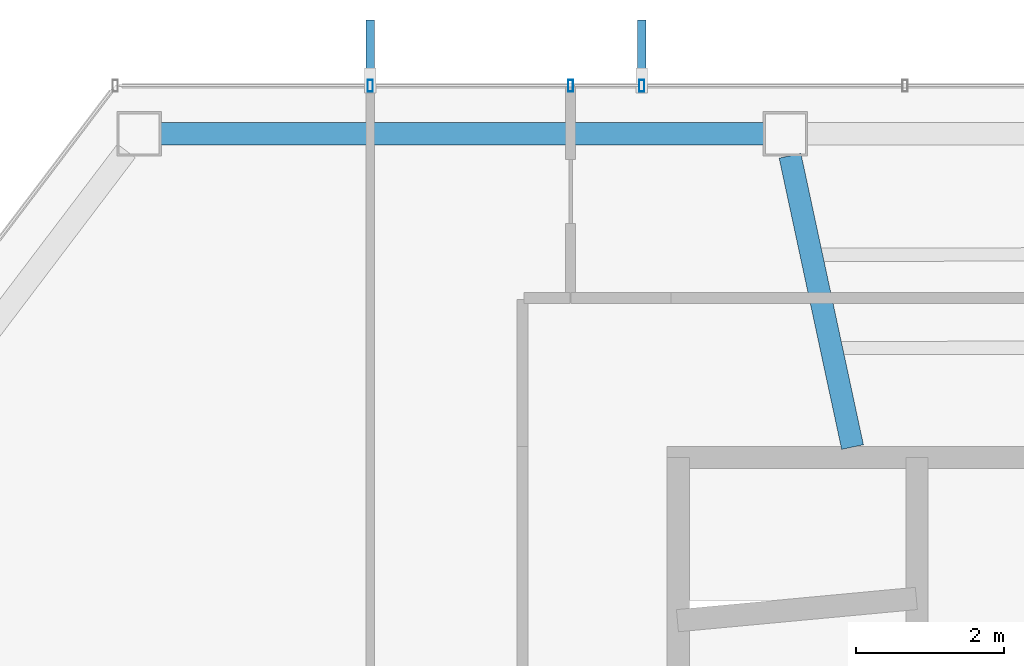
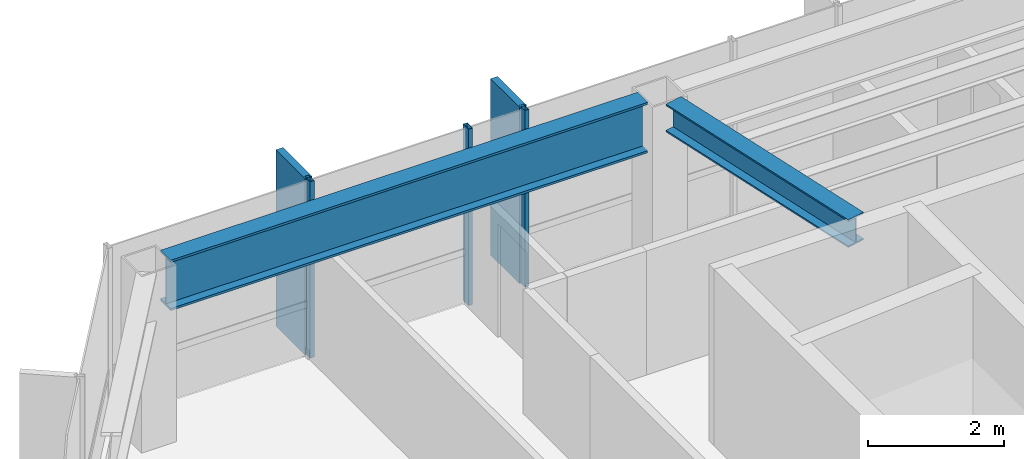
# One storey, part 10 of 25: 5 members, 2 beams, 1 element without a shape of its own.
"""IFC4 building model written with IfcOpenShell, lengths in metres."""

from ifc_helpers import new_model, si_unit, direction, frame, origin, origin_2d, place, context, subcontext, project, spatial, rectangle, hollow_rectangle, i_section, extrude, material, layer, layer_set, material_profile, profile_set, type_object, element, aggregate, save


model = new_model("IFC4")

# Units and contexts
model_context = context("Model", 3, precision=1e-05, world=origin(), true_north=direction((0.0, 1.0)))
body_context = subcontext(model_context, "Body", "Model", "MODEL_VIEW")
ifc_project = project(units=[si_unit("LENGTHUNIT", "METRE"), si_unit("AREAUNIT", "SQUARE_METRE"), si_unit("VOLUMEUNIT", "CUBIC_METRE"), si_unit("PLANEANGLEUNIT", "RADIAN"), si_unit("MASSUNIT", "GRAM", prefix="KILO")], contexts=[model_context])

# Site, building, storey
site_placement = place(None, origin())
site = spatial("IfcSite", under=ifc_project, at=site_placement, CompositionType="ELEMENT")
building_placement = place(site_placement, origin())
building = spatial("IfcBuilding", under=site, at=building_placement, Name="Zarrinselat Tower", CompositionType="ELEMENT")
storey_placement = place(building_placement, frame((0.0, 0.0, 212.159912109375)))
storey = spatial("IfcBuildingStorey", under=building, at=storey_placement, Name="L52", CompositionType="ELEMENT", Elevation=212.159912109375)

# Beams
ifc_material_1 = material(Name="Steel S355J2", Category="steel")
ifc_material_profile_1 = material_profile(ifc_material_1, i_section(OverallWidth=0.300048828125, OverallDepth=0.5, WebThickness=0.014404296875, FlangeThickness=0.028076171875, at=origin_2d()), Name="HEB 500")
ifc_profile_set_1 = profile_set([ifc_material_profile_1], Name="Steel S355J2")
beam_type_1 = type_object("IfcBeamType", Name="BM-HEB500", PredefinedType="BEAM", material=ifc_profile_set_1)
beam_1_placement = place(storey_placement, frame((30.1572265625, 47.4658203125, 2.93017578125), z_axis=(0.209894489711, -0.977724042452, 0.0), x_axis=(0.977724042452, 0.209894489711, 0.0)))
element("IfcBeam", 1, at=beam_1_placement, inside=storey, type_object=beam_type_1, Name="L52 Radial Primary Girder RG04", PredefinedType="BEAM", context=body_context, shape_type="SweptSolid", body=[
    extrude(i_section(OverallWidth=0.300048828125, OverallDepth=0.5, WebThickness=0.014404296875, FlangeThickness=0.028076171875, at=origin_2d()), origin(), (0.0, 0.0, 1.0), 4.01513671875),
])
ifc_material_2 = material(Name="Steel S460M", Category="steel")
ifc_material_profile_2 = material_profile(ifc_material_2, i_section(OverallWidth=0.302001953125, OverallDepth=0.909912109375, WebThickness=0.02099609375, FlangeThickness=0.0400390625, at=origin_2d()), Name="HEM 900")
ifc_profile_set_2 = profile_set([ifc_material_profile_2], Name="Steel S460M")
beam_type_2 = type_object("IfcBeamType", Name="BM-HEM900", PredefinedType="BEAM", material=ifc_profile_set_2)
beam_2_placement = place(storey_placement, frame((21.673583984375, 47.760986328125, 2.72509765625), z_axis=(1.0, 0.0, 0.0), x_axis=(0.0, 1.0, 0.0)))
element("IfcBeam", 2, at=beam_2_placement, inside=storey, type_object=beam_type_2, Name="L52 Perimeter Spandrel Girder SP04", PredefinedType="BEAM", context=body_context, shape_type="SweptSolid", body=[
    extrude(i_section(OverallWidth=0.302001953125, OverallDepth=0.909912109375, WebThickness=0.02099609375, FlangeThickness=0.0400390625, at=origin_2d()), origin(), (0.0, 0.0, 1.0), 8.13232421875),
])

# Curtain wall, members
ifc_material_3 = material(Name="Extruded Aluminium Alloy EN AW-6063 T6", Category="aluminium")
ifc_layer = layer(ifc_material_3, 0.169921875)
ifc_layer_set = layer_set([ifc_layer], Name="Extruded Aluminium Alloy EN AW-6063 T6")
curtain_wall_type = type_object("IfcCurtainWallType", Name="CWS-RES", PredefinedType="NOTDEFINED", material=ifc_layer_set)
curtain_wall_placement = place(storey_placement, origin())
curtain_wall = element("IfcCurtainWall", 3, at=curtain_wall_placement, inside=storey, type_object=curtain_wall_type, Name="L52 Unitised Curtain Wall CW-L52-E01", PredefinedType="NOTDEFINED")
ifc_material_4 = material(Name="Extruded Aluminium Alloy EN AW-6063 T6", Category="aluminium")
ifc_material_profile_3 = material_profile(ifc_material_4, hollow_rectangle(XDim=0.070068359375, YDim=0.159912109375, WallThickness=0.00390625, at=origin_2d()), Name="RHS 160x70x4")
ifc_profile_set_3 = profile_set([ifc_material_profile_3], Name="Extruded Aluminium Alloy EN AW-6063 T6")
member_type_1 = type_object("IfcMemberType", Name="MEM-CW-MUL2", PredefinedType="MULLION", material=ifc_profile_set_3)
member_1_placement = place(storey_placement, frame((28.158447265625, 48.4111328125, 0.0), z_axis=(0.0, 0.0, 1.0), x_axis=(-1.0, 0.0, 0.0)))
member_1 = element("IfcMember", 4, at=member_1_placement, type_object=member_type_1, Name="CW-L52-E01 Mullion 11", PredefinedType="MULLION", context=body_context, shape_type="SweptSolid", body=[
    extrude(hollow_rectangle(XDim=0.070068359375, YDim=0.159912109375, WallThickness=0.00390625, at=origin_2d()), origin(), (0.0, 0.0, 1.0), 3.18017578125),
])
member_2_placement = place(storey_placement, frame((27.199951171875, 48.4111328125, 0.0), z_axis=(0.0, 0.0, 1.0), x_axis=(-1.0, 0.0, 0.0)))
member_2 = element("IfcMember", 5, at=member_2_placement, type_object=member_type_1, Name="CW-L52-E01 Mullion 12", PredefinedType="MULLION", context=body_context, shape_type="SweptSolid", body=[
    extrude(hollow_rectangle(XDim=0.070068359375, YDim=0.159912109375, WallThickness=0.00390625, at=origin_2d()), origin(), (0.0, 0.0, 1.0), 3.18017578125),
])
member_3_placement = place(storey_placement, frame((24.5, 48.4111328125, 0.0), z_axis=(0.0, 0.0, 1.0), x_axis=(-1.0, 0.0, 0.0)))
member_3 = element("IfcMember", 6, at=member_3_placement, type_object=member_type_1, Name="CW-L52-E01 Mullion 13", PredefinedType="MULLION", context=body_context, shape_type="SweptSolid", body=[
    extrude(hollow_rectangle(XDim=0.070068359375, YDim=0.159912109375, WallThickness=0.00390625, at=origin_2d()), origin(), (0.0, 0.0, 1.0), 3.18017578125),
])
ifc_material_5 = material(Name="Honed Cream Travertine Stone", Category="masonry")
ifc_material_profile_4 = material_profile(ifc_material_5, rectangle(XDim=0.1201171875, YDim=0.85009765625, at=origin_2d()), Name="FIN 850x120")
ifc_profile_set_4 = profile_set([ifc_material_profile_4], Name="Honed Cream Travertine Stone")
member_type_2 = type_object("IfcMemberType", Name="MEM-STONE-FIN", PredefinedType="USERDEFINED", material=ifc_profile_set_4)
member_4_placement = place(storey_placement, frame((28.158447265625, 48.87109375, 0.0), z_axis=(0.0, 0.0, 1.0), x_axis=(1.0, 0.0, 0.0)))
member_4 = element("IfcMember", 7, at=member_4_placement, type_object=member_type_2, Name="L52 Stone Shading Fin CW-L52-E01-11", ObjectType="FIN", PredefinedType="USERDEFINED", context=body_context, shape_type="SweptSolid", body=[
    extrude(rectangle(XDim=0.1201171875, YDim=0.85009765625, at=origin_2d()), origin(), (0.0, 0.0, 1.0), 3.18017578125),
])
member_5_placement = place(storey_placement, frame((24.5, 48.87109375, 0.0), z_axis=(0.0, 0.0, 1.0), x_axis=(1.0, 0.0, 0.0)))
member_5 = element("IfcMember", 8, at=member_5_placement, type_object=member_type_2, Name="L52 Stone Shading Fin CW-L52-E01-13", ObjectType="FIN", PredefinedType="USERDEFINED", context=body_context, shape_type="SweptSolid", body=[
    extrude(rectangle(XDim=0.1201171875, YDim=0.85009765625, at=origin_2d()), origin(), (0.0, 0.0, 1.0), 3.18017578125),
])
aggregate(curtain_wall, [member_1, member_4, member_2, member_3, member_5])

save(model, "model.ifc")
